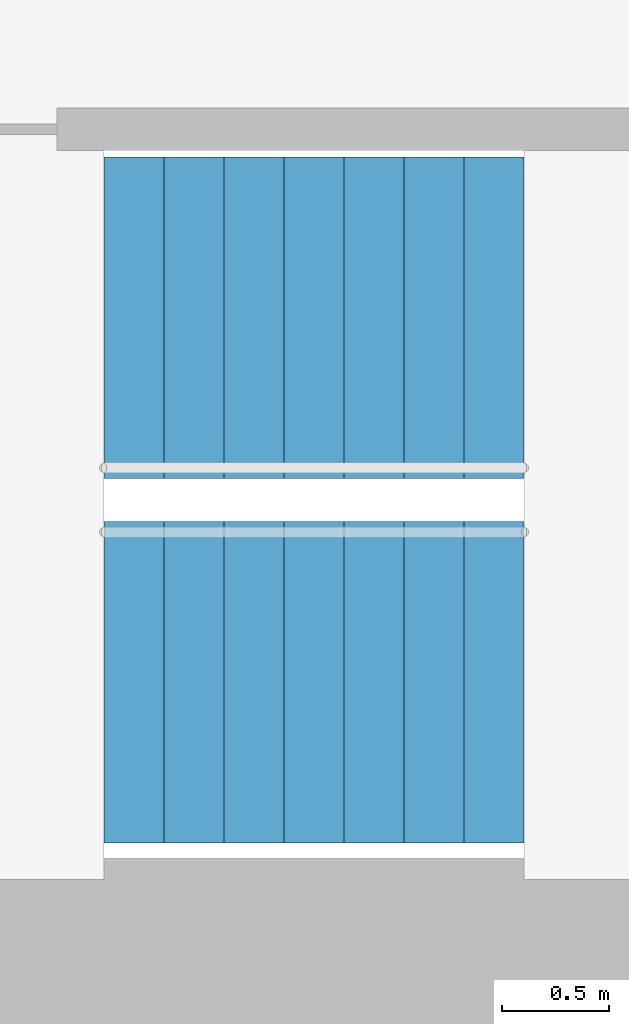
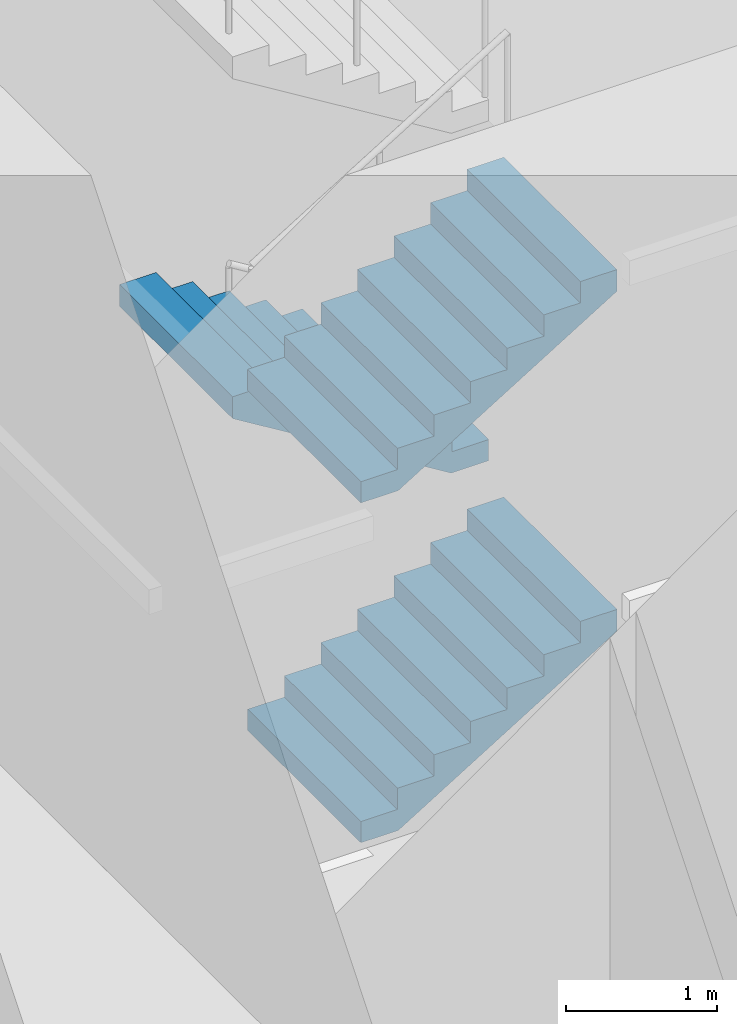
# One storey, part 15 of 19: 3 stair flights, 1 element without a shape of its own.
"""IFC4 building model written with IfcOpenShell, lengths in metres."""

import ifcopenshell
import ifcopenshell.guid

model = None  # the IFC model being written
_history = None  # IfcOwnerHistory: only IFC2X3 demands one
_inside = {}  # id of a spatial element -> (the spatial element, [elements in it])
_under = {}  # id of a project, library or spatial element -> (it, [spatial elements below it])
_declared = {}  # id of a project -> (the project, [libraries it declares])
_typed = {}  # id of a type object -> (the type object, [elements of that type])
_made_of = {}  # id of a material, layer set ... -> (it, [elements and type objects made of it])


def new_model(schema):
    """Start an empty IFC model of exactly this schema.

    Asked for "IFC4X3", IfcOpenShell would pick the latest addendum, in which some entities
    have other attributes; the version numbers below select the first issue.
    IFC2X3 requires an IfcOwnerHistory on every rooted entity: one is made here for all.
    """
    global model, _history
    if schema == "IFC4X3":
        model = ifcopenshell.file(schema_version=(4, 3, 0, 0))
    else:
        model = ifcopenshell.file(schema=schema)
    _inside.clear()
    _under.clear()
    _declared.clear()
    _typed.clear()
    _made_of.clear()
    _history = None
    if model.schema == "IFC2X3":
        org = make("IfcOrganization", Name="unknown")
        user = make(
            "IfcPersonAndOrganization",
            ThePerson=make("IfcPerson", FamilyName="unknown"),
            TheOrganization=org,
        )
        app = make(
            "IfcApplication",
            ApplicationDeveloper=org,
            Version="unknown",
            ApplicationFullName="unknown",
            ApplicationIdentifier="unknown",
        )
        _history = make(
            "IfcOwnerHistory",
            OwningUser=user,
            OwningApplication=app,
            ChangeAction="ADDED",
            CreationDate=0,
        )
    return model


def make(cls, **values):
    """One entity of the class cls with the attributes given. An attribute that is None is left unset."""
    return model.create_entity(
        cls, **{name: value for name, value in values.items() if value is not None}
    )


def rooted(cls, **values):
    """An entity with a GlobalId (a new one), such as an element, a storey or a relation."""
    return make(cls, GlobalId=ifcopenshell.guid.new(), OwnerHistory=_history, **values)


def si_unit(unit_type, name, prefix=None):
    """IfcSIUnit, for example si_unit("LENGTHUNIT", "METRE", prefix="MILLI")."""
    return make("IfcSIUnit", UnitType=unit_type, Prefix=prefix, Name=name)


def assignment(units):
    """IfcUnitAssignment: the units of a project."""
    return None if units is None else make("IfcUnitAssignment", Units=units)


def point(xyz):
    """IfcCartesianPoint."""
    return None if xyz is None else make("IfcCartesianPoint", Coordinates=xyz)


def direction(xyz):
    """IfcDirection."""
    return None if xyz is None else make("IfcDirection", DirectionRatios=xyz)


def frame(location, z_axis=None, x_axis=None):
    """IfcAxis2Placement3D, a coordinate frame: its origin and axes. An axis left out is left unset."""
    return make(
        "IfcAxis2Placement3D",
        Location=point(location),
        Axis=direction(z_axis),
        RefDirection=direction(x_axis),
    )


def origin():
    """The frame at (0, 0, 0) with its axes left unset."""
    return frame((0.0, 0.0, 0.0))


def place(relative_to, where):
    """IfcLocalPlacement: puts the frame where relative to a parent placement (None: the world)."""
    return make(
        "IfcLocalPlacement", PlacementRelTo=relative_to, RelativePlacement=where
    )


def context(
    kind, dimensions, precision=None, world=None, true_north=None, identifier=None
):
    """IfcGeometricRepresentationContext, for example the 3D "Model" context."""
    return make(
        "IfcGeometricRepresentationContext",
        ContextIdentifier=identifier,
        ContextType=kind,
        CoordinateSpaceDimension=dimensions,
        Precision=precision,
        WorldCoordinateSystem=world,
        TrueNorth=true_north,
    )


def subcontext(parent, identifier, kind, view, scale=None):
    """IfcGeometricRepresentationSubContext, for example "Body" below "Model"."""
    return make(
        "IfcGeometricRepresentationSubContext",
        ContextIdentifier=identifier,
        ContextType=kind,
        ParentContext=parent,
        TargetScale=scale,
        TargetView=view,
    )


def project(units=None, contexts=None):
    """IfcProject with its units and contexts."""
    return rooted(
        "IfcProject",
        Name="project",
        RepresentationContexts=contexts,
        UnitsInContext=assignment(units),
    )


def spatial(cls, under=None, at=None, **own):
    """A site, building, storey or space (cls), placed at a placement, below another one or the project."""
    s = rooted(cls, ObjectPlacement=at, **own)
    if under is not None:
        _under.setdefault(under.id(), (under, []))[1].append(s)
    return s


def point_list(points):
    """IfcCartesianPointList2D or 3D."""
    cls = (
        "IfcCartesianPointList2D" if len(points[0]) == 2 else "IfcCartesianPointList3D"
    )
    return make(cls, CoordList=points)


def triangles(points, corners, closed=None, point_numbers=None):
    """IfcTriangulatedFaceSet: each triangle names its three corners, points numbered from 1."""
    return make(
        "IfcTriangulatedFaceSet",
        Coordinates=point_list(points),
        Closed=closed,
        CoordIndex=corners,
        PnIndex=point_numbers,
    )


def shape(context_of_items, identifier, shape_type, items):
    """IfcShapeRepresentation: the items that make up one representation, for example the "Body"."""
    return make(
        "IfcShapeRepresentation",
        ContextOfItems=context_of_items,
        RepresentationIdentifier=identifier,
        RepresentationType=shape_type,
        Items=items,
    )


def material(Name=None, Category=None):
    """IfcMaterial."""
    return make("IfcMaterial", Name=Name, Category=Category)


def made_of(thing, what):
    """Note that an element or type object is made of a material, layer set ...; save() writes the relation."""
    if what is not None:
        _made_of.setdefault(what.id(), (what, []))[1].append(thing)
    return thing


def type_object(cls, material=None, **own):
    """A type object (cls), such as IfcWallType, which elements share."""
    return made_of(rooted(cls, **own), material)


def element(
    cls,
    number,
    at=None,
    inside=None,
    cuts=None,
    type_object=None,
    material=None,
    context=None,
    identifier="Body",
    shape_type=None,
    held_by="IfcProductDefinitionShape",
    body=None,
    shapes=None,
    **own,
):
    """One element of the class cls, such as IfcWall. Its Tag is "e" and its number.

    at: its placement. inside: the storey or other place that contains it. cuts: it is an
    opening in that element (IfcRelVoidsElement). A single representation is given by context,
    identifier, shape_type and body (its items); several are given by shapes. held_by: the class
    of the entity that holds the representations. save() writes the other relations.
    """
    e = rooted(cls, Tag="e%d" % number, ObjectPlacement=at, **own)
    if body is not None:
        shapes = [shape(context, identifier, shape_type, body)]
    if shapes is not None:
        e.Representation = make(held_by, Representations=shapes)
    if inside is not None:
        _inside.setdefault(inside.id(), (inside, []))[1].append(e)
    if cuts is not None:
        rooted(
            "IfcRelVoidsElement", RelatingBuildingElement=cuts, RelatedOpeningElement=e
        )
    if type_object is not None:
        _typed.setdefault(type_object.id(), (type_object, []))[1].append(e)
    return made_of(e, material)


def aggregate(whole, parts):
    """IfcRelAggregates: a whole, such as a stair, and the parts it consists of."""
    return rooted("IfcRelAggregates", RelatingObject=whole, RelatedObjects=parts)


def save(model, path):
    """Write the relations noted so far, then the file.

    IfcRelAggregates (storeys below a building ...), IfcRelContainedInSpatialStructure (elements
    in a storey), IfcRelDefinesByType, IfcRelAssociatesMaterial and IfcRelDeclares: one each for
    every whole, place, type object, material and project.
    """
    for whole, parts in _under.values():
        aggregate(whole, parts)
    for where, things in _inside.values():
        rooted(
            "IfcRelContainedInSpatialStructure",
            RelatedElements=things,
            RelatingStructure=where,
        )
    for kind, things in _typed.values():
        rooted("IfcRelDefinesByType", RelatedObjects=things, RelatingType=kind)
    for what, things in _made_of.values():
        rooted("IfcRelAssociatesMaterial", RelatedObjects=things, RelatingMaterial=what)
    for by, libraries in _declared.values():
        rooted("IfcRelDeclares", RelatingContext=by, RelatedDefinitions=libraries)
    model.write(path)


model = new_model("IFC4")

# Units and contexts
model_context = context("Model", 3, precision=1e-05, world=origin(), true_north=direction((0.0, 1.0)))
body_context = subcontext(model_context, "Body", "Model", "MODEL_VIEW")
ifc_project = project(units=[si_unit("LENGTHUNIT", "METRE"), si_unit("AREAUNIT", "SQUARE_METRE"), si_unit("VOLUMEUNIT", "CUBIC_METRE"), si_unit("PLANEANGLEUNIT", "RADIAN"), si_unit("MASSUNIT", "GRAM", prefix="KILO")], contexts=[model_context])

# Site, building, storey
site_placement = place(None, origin())
site = spatial("IfcSite", under=ifc_project, at=site_placement, CompositionType="ELEMENT")
building_placement = place(site_placement, origin())
building = spatial("IfcBuilding", under=site, at=building_placement, Name="Lantaw Convention Tower", CompositionType="ELEMENT")
storey_placement = place(building_placement, frame((0.0, 0.0, -5.5)))
storey = spatial("IfcBuildingStorey", under=building, at=storey_placement, Name="B1", CompositionType="ELEMENT", Elevation=-5.5)

# Stair, stair flights
ifc_material = material(Name="Concrete C35/45", Category="concrete")
stair_type = type_object("IfcStairType", Name="Exit stair 1500 riser 171.88 in 4 flights", PredefinedType="HALF_TURN_STAIR", material=ifc_material)
stair_placement = place(storey_placement, origin())
stair = element("IfcStair", 1, at=stair_placement, inside=storey, type_object=stair_type, Name="Exit stair S1 B1", PredefinedType="HALF_TURN_STAIR")
stair_flight_type = type_object("IfcStairFlightType", Name="Stair flight 1500 riser 171.88", PredefinedType="STRAIGHT", material=ifc_material)
stair_flight_1_placement = place(storey_placement, frame((-10.580078125, -5.97998046875, 0.0), z_axis=(0.0, 0.0, 1.0), x_axis=(1.0, 0.0, 0.0)))
stair_flight_1 = element("IfcStairFlight", 2, at=stair_flight_1_placement, type_object=stair_flight_type, Name="S1 flight 1", NumberOfRisers=8, NumberOfTreads=7, PredefinedType="STRAIGHT", RiserHeight=0.171875, TreadLength=0.28, context=body_context, shape_type="Tessellation", body=[
    triangles([(0.0, 0.75, 0.0), (0.0, 0.75, 0.171875), (0.28, 0.75, 0.0), (0.28, 0.75, 0.171875), (0.28, 0.75, 0.34375), (0.286542444818223, 0.75, 0.0), (0.286542444818223, 0.75, 0.34375), (0.56, 0.75, 0.1678589903459569), (0.56, 0.75, 0.34375), (0.56, 0.75, 0.515625), (0.8400000000000001, 0.75, 0.3397339903459569), (0.8400000000000001, 0.75, 0.515625), (0.8400000000000001, 0.75, 0.6875), (1.12, 0.75, 0.511608990345957), (1.12, 0.75, 0.6875), (1.12, 0.75, 0.859375), (1.4000000000000001, 0.75, 0.683483990345957), (1.4000000000000001, 0.75, 0.859375), (1.4000000000000001, 0.75, 1.03125), (1.6800000000000002, 0.75, 0.855358990345957), (1.6800000000000002, 0.75, 1.03125), (1.6800000000000002, 0.75, 1.203125), (1.9600000000000002, 0.75, 1.0272339903459569), (1.9600000000000002, 0.75, 1.203125), (0.0, -0.75, 0.0), (0.0, -0.75, 0.171875), (0.28, -0.75, 0.0), (0.28, -0.75, 0.171875), (0.28, -0.75, 0.34375), (0.286542444818223, -0.75, 0.0), (0.286542444818223, -0.75, 0.34375), (0.56, -0.75, 0.1678589903459569), (0.56, -0.75, 0.34375), (0.56, -0.75, 0.515625), (0.8400000000000001, -0.75, 0.3397339903459569), (0.8400000000000001, -0.75, 0.515625), (0.8400000000000001, -0.75, 0.6875), (1.12, -0.75, 0.511608990345957), (1.12, -0.75, 0.6875), (1.12, -0.75, 0.859375), (1.4000000000000001, -0.75, 0.683483990345957), (1.4000000000000001, -0.75, 0.859375), (1.4000000000000001, -0.75, 1.03125), (1.6800000000000002, -0.75, 0.855358990345957), (1.6800000000000002, -0.75, 1.03125), (1.6800000000000002, -0.75, 1.203125), (1.9600000000000002, -0.75, 1.0272339903459569), (1.9600000000000002, -0.75, 1.203125), (0.0, 0.15000000000000002, 0.171875), (0.0, 0.15000000000000002, 0.0), (0.0, 0.0, 0.171875), (0.0, 0.0, 0.0), (0.0, -0.15000000000000002, 0.171875), (0.0, -0.15000000000000002, 0.0), (0.28, 0.15000000000000002, 0.34375), (0.28, 0.15000000000000002, 0.171875), (0.28, 0.0, 0.34375), (0.28, 0.0, 0.171875), (0.28, -0.15000000000000002, 0.34375), (0.28, -0.15000000000000002, 0.171875), (0.56, 0.15000000000000002, 0.515625), (0.56, 0.15000000000000002, 0.34375), (0.56, 0.0, 0.515625), (0.56, 0.0, 0.34375), (0.56, -0.15000000000000002, 0.515625), (0.56, -0.15000000000000002, 0.34375), (0.8400000000000001, 0.15000000000000002, 0.6875), (0.8400000000000001, 0.15000000000000002, 0.515625), (0.8400000000000001, 0.0, 0.6875), (0.8400000000000001, 0.0, 0.515625), (0.8400000000000001, -0.15000000000000002, 0.6875), (0.8400000000000001, -0.15000000000000002, 0.515625), (1.12, 0.15000000000000002, 0.859375), (1.12, 0.15000000000000002, 0.6875), (1.12, 0.0, 0.859375), (1.12, 0.0, 0.6875), (1.12, -0.15000000000000002, 0.859375), (1.12, -0.15000000000000002, 0.6875), (1.4000000000000001, 0.15000000000000002, 1.03125), (1.4000000000000001, 0.15000000000000002, 0.859375), (1.4000000000000001, 0.0, 1.03125), (1.4000000000000001, 0.0, 0.859375), (1.4000000000000001, -0.15000000000000002, 1.03125), (1.4000000000000001, -0.15000000000000002, 0.859375), (1.6800000000000002, 0.15000000000000002, 1.203125), (1.6800000000000002, 0.15000000000000002, 1.03125), (1.6800000000000002, 0.0, 1.203125), (1.6800000000000002, 0.0, 1.03125), (1.6800000000000002, -0.15000000000000002, 1.203125), (1.6800000000000002, -0.15000000000000002, 1.03125), (0.286542444818223, 0.15000000000000002, 0.34375), (0.286542444818223, 0.0, 0.34375), (0.286542444818223, -0.15000000000000002, 0.34375), (1.9600000000000002, 0.15000000000000002, 1.203125), (1.9600000000000002, 0.0, 1.203125), (1.9600000000000002, -0.15000000000000002, 1.203125), (1.9600000000000002, 0.15000000000000002, 1.0272339903459569), (1.9600000000000002, 0.0, 1.0272339903459569), (1.9600000000000002, -0.15000000000000002, 1.0272339903459569), (1.6800000000000002, 0.15000000000000002, 0.855358990345957), (1.6800000000000002, 0.0, 0.855358990345957), (1.6800000000000002, -0.15000000000000002, 0.855358990345957), (1.4000000000000001, 0.15000000000000002, 0.683483990345957), (1.4000000000000001, 0.0, 0.683483990345957), (1.4000000000000001, -0.15000000000000002, 0.683483990345957), (1.12, 0.15000000000000002, 0.511608990345957), (1.12, 0.0, 0.511608990345957), (1.12, -0.15000000000000002, 0.511608990345957), (0.8400000000000001, 0.15000000000000002, 0.3397339903459569), (0.8400000000000001, 0.0, 0.3397339903459569), (0.8400000000000001, -0.15000000000000002, 0.3397339903459569), (0.56, 0.15000000000000002, 0.1678589903459569), (0.56, 0.0, 0.1678589903459569), (0.56, -0.15000000000000002, 0.1678589903459569), (0.286542444818223, 0.15000000000000002, 0.0), (0.286542444818223, 0.0, 0.0), (0.286542444818223, -0.15000000000000002, 0.0), (0.28, 0.15000000000000002, 0.0), (0.28, 0.0, 0.0), (0.28, -0.15000000000000002, 0.0)], [[1, 4, 3], [1, 2, 4], [3, 4, 6], [4, 7, 6], [4, 5, 7], [6, 9, 8], [6, 7, 9], [8, 9, 11], [9, 12, 11], [9, 10, 12], [11, 12, 14], [12, 15, 14], [12, 13, 15], [14, 15, 17], [15, 18, 17], [15, 16, 18], [17, 18, 20], [18, 21, 20], [18, 19, 21], [20, 21, 23], [21, 24, 23], [21, 22, 24], [25, 27, 28], [25, 28, 26], [27, 30, 28], [28, 30, 31], [28, 31, 29], [30, 32, 33], [30, 33, 31], [32, 35, 33], [33, 35, 36], [33, 36, 34], [35, 38, 36], [36, 38, 39], [36, 39, 37], [38, 41, 39], [39, 41, 42], [39, 42, 40], [41, 44, 42], [42, 44, 45], [42, 45, 43], [44, 47, 45], [45, 47, 48], [45, 48, 46], [1, 49, 2], [1, 50, 49], [50, 51, 49], [50, 52, 51], [52, 53, 51], [52, 54, 53], [54, 26, 53], [54, 25, 26], [4, 55, 5], [4, 56, 55], [56, 57, 55], [56, 58, 57], [58, 59, 57], [58, 60, 59], [60, 29, 59], [60, 28, 29], [9, 61, 10], [9, 62, 61], [62, 63, 61], [62, 64, 63], [64, 65, 63], [64, 66, 65], [66, 34, 65], [66, 33, 34], [12, 67, 13], [12, 68, 67], [68, 69, 67], [68, 70, 69], [70, 71, 69], [70, 72, 71], [72, 37, 71], [72, 36, 37], [15, 73, 16], [15, 74, 73], [74, 75, 73], [74, 76, 75], [76, 77, 75], [76, 78, 77], [78, 40, 77], [78, 39, 40], [18, 79, 19], [18, 80, 79], [80, 81, 79], [80, 82, 81], [82, 83, 81], [82, 84, 83], [84, 43, 83], [84, 42, 43], [21, 85, 22], [21, 86, 85], [86, 87, 85], [86, 88, 87], [88, 89, 87], [88, 90, 89], [90, 46, 89], [90, 45, 46], [2, 56, 4], [2, 49, 56], [49, 58, 56], [49, 51, 58], [51, 60, 58], [51, 53, 60], [53, 28, 60], [53, 26, 28], [5, 91, 7], [5, 55, 91], [55, 92, 91], [55, 57, 92], [57, 93, 92], [57, 59, 93], [59, 31, 93], [59, 29, 31], [7, 62, 9], [7, 91, 62], [91, 64, 62], [91, 92, 64], [92, 66, 64], [92, 93, 66], [93, 33, 66], [93, 31, 33], [10, 68, 12], [10, 61, 68], [61, 70, 68], [61, 63, 70], [63, 72, 70], [63, 65, 72], [65, 36, 72], [65, 34, 36], [13, 74, 15], [13, 67, 74], [67, 76, 74], [67, 69, 76], [69, 78, 76], [69, 71, 78], [71, 39, 78], [71, 37, 39], [16, 80, 18], [16, 73, 80], [73, 82, 80], [73, 75, 82], [75, 84, 82], [75, 77, 84], [77, 42, 84], [77, 40, 42], [19, 86, 21], [19, 79, 86], [79, 88, 86], [79, 81, 88], [81, 90, 88], [81, 83, 90], [83, 45, 90], [83, 43, 45], [22, 94, 24], [22, 85, 94], [85, 95, 94], [85, 87, 95], [87, 96, 95], [87, 89, 96], [89, 48, 96], [89, 46, 48], [24, 97, 23], [24, 94, 97], [94, 98, 97], [94, 95, 98], [95, 99, 98], [95, 96, 99], [96, 47, 99], [96, 48, 47], [23, 100, 20], [23, 97, 100], [97, 101, 100], [97, 98, 101], [98, 102, 101], [98, 99, 102], [99, 44, 102], [99, 47, 44], [20, 103, 17], [20, 100, 103], [100, 104, 103], [100, 101, 104], [101, 105, 104], [101, 102, 105], [102, 41, 105], [102, 44, 41], [17, 106, 14], [17, 103, 106], [103, 107, 106], [103, 104, 107], [104, 108, 107], [104, 105, 108], [105, 38, 108], [105, 41, 38], [14, 109, 11], [14, 106, 109], [106, 110, 109], [106, 107, 110], [107, 111, 110], [107, 108, 111], [108, 35, 111], [108, 38, 35], [11, 112, 8], [11, 109, 112], [109, 113, 112], [109, 110, 113], [110, 114, 113], [110, 111, 114], [111, 32, 114], [111, 35, 32], [8, 115, 6], [8, 112, 115], [112, 116, 115], [112, 113, 116], [113, 117, 116], [113, 114, 117], [114, 30, 117], [114, 32, 30], [6, 118, 3], [6, 115, 118], [115, 119, 118], [115, 116, 119], [116, 120, 119], [116, 117, 120], [117, 27, 120], [117, 30, 27], [3, 50, 1], [3, 118, 50], [118, 52, 50], [118, 119, 52], [119, 54, 52], [119, 120, 54], [120, 25, 54], [120, 27, 25]], closed=True),
])
stair_flight_2_placement = place(storey_placement, frame((-8.6201171875, -4.280029296875, 1.375), z_axis=(0.0, 0.0, 1.0), x_axis=(-1.0, 0.0, 0.0)))
stair_flight_2 = element("IfcStairFlight", 3, at=stair_flight_2_placement, type_object=stair_flight_type, Name="S1 flight 2", NumberOfRisers=8, NumberOfTreads=7, PredefinedType="STRAIGHT", RiserHeight=0.171875, TreadLength=0.28, context=body_context, shape_type="Tessellation", body=[
    triangles([(0.0, 0.75, 0.0), (0.0, 0.75, 0.171875), (0.28, 0.75, 0.0), (0.28, 0.75, 0.171875), (0.28, 0.75, 0.34375), (0.286542444818223, 0.75, 0.0), (0.286542444818223, 0.75, 0.34375), (0.56, 0.75, 0.1678589903459569), (0.56, 0.75, 0.34375), (0.56, 0.75, 0.515625), (0.8400000000000001, 0.75, 0.3397339903459569), (0.8400000000000001, 0.75, 0.515625), (0.8400000000000001, 0.75, 0.6875), (1.12, 0.75, 0.511608990345957), (1.12, 0.75, 0.6875), (1.12, 0.75, 0.859375), (1.4000000000000001, 0.75, 0.683483990345957), (1.4000000000000001, 0.75, 0.859375), (1.4000000000000001, 0.75, 1.03125), (1.6800000000000002, 0.75, 0.855358990345957), (1.6800000000000002, 0.75, 1.03125), (1.6800000000000002, 0.75, 1.203125), (1.9600000000000002, 0.75, 1.0272339903459569), (1.9600000000000002, 0.75, 1.203125), (0.0, -0.75, 0.0), (0.0, -0.75, 0.171875), (0.28, -0.75, 0.0), (0.28, -0.75, 0.171875), (0.28, -0.75, 0.34375), (0.286542444818223, -0.75, 0.0), (0.286542444818223, -0.75, 0.34375), (0.56, -0.75, 0.1678589903459569), (0.56, -0.75, 0.34375), (0.56, -0.75, 0.515625), (0.8400000000000001, -0.75, 0.3397339903459569), (0.8400000000000001, -0.75, 0.515625), (0.8400000000000001, -0.75, 0.6875), (1.12, -0.75, 0.511608990345957), (1.12, -0.75, 0.6875), (1.12, -0.75, 0.859375), (1.4000000000000001, -0.75, 0.683483990345957), (1.4000000000000001, -0.75, 0.859375), (1.4000000000000001, -0.75, 1.03125), (1.6800000000000002, -0.75, 0.855358990345957), (1.6800000000000002, -0.75, 1.03125), (1.6800000000000002, -0.75, 1.203125), (1.9600000000000002, -0.75, 1.0272339903459569), (1.9600000000000002, -0.75, 1.203125), (0.0, 0.15000000000000002, 0.171875), (0.0, 0.15000000000000002, 0.0), (0.0, 0.0, 0.171875), (0.0, 0.0, 0.0), (0.0, -0.15000000000000002, 0.171875), (0.0, -0.15000000000000002, 0.0), (0.28, 0.15000000000000002, 0.34375), (0.28, 0.15000000000000002, 0.171875), (0.28, 0.0, 0.34375), (0.28, 0.0, 0.171875), (0.28, -0.15000000000000002, 0.34375), (0.28, -0.15000000000000002, 0.171875), (0.56, 0.15000000000000002, 0.515625), (0.56, 0.15000000000000002, 0.34375), (0.56, 0.0, 0.515625), (0.56, 0.0, 0.34375), (0.56, -0.15000000000000002, 0.515625), (0.56, -0.15000000000000002, 0.34375), (0.8400000000000001, 0.15000000000000002, 0.6875), (0.8400000000000001, 0.15000000000000002, 0.515625), (0.8400000000000001, 0.0, 0.6875), (0.8400000000000001, 0.0, 0.515625), (0.8400000000000001, -0.15000000000000002, 0.6875), (0.8400000000000001, -0.15000000000000002, 0.515625), (1.12, 0.15000000000000002, 0.859375), (1.12, 0.15000000000000002, 0.6875), (1.12, 0.0, 0.859375), (1.12, 0.0, 0.6875), (1.12, -0.15000000000000002, 0.859375), (1.12, -0.15000000000000002, 0.6875), (1.4000000000000001, 0.15000000000000002, 1.03125), (1.4000000000000001, 0.15000000000000002, 0.859375), (1.4000000000000001, 0.0, 1.03125), (1.4000000000000001, 0.0, 0.859375), (1.4000000000000001, -0.15000000000000002, 1.03125), (1.4000000000000001, -0.15000000000000002, 0.859375), (1.6800000000000002, 0.15000000000000002, 1.203125), (1.6800000000000002, 0.15000000000000002, 1.03125), (1.6800000000000002, 0.0, 1.203125), (1.6800000000000002, 0.0, 1.03125), (1.6800000000000002, -0.15000000000000002, 1.203125), (1.6800000000000002, -0.15000000000000002, 1.03125), (0.286542444818223, 0.15000000000000002, 0.34375), (0.286542444818223, 0.0, 0.34375), (0.286542444818223, -0.15000000000000002, 0.34375), (1.9600000000000002, 0.15000000000000002, 1.203125), (1.9600000000000002, 0.0, 1.203125), (1.9600000000000002, -0.15000000000000002, 1.203125), (1.9600000000000002, 0.15000000000000002, 1.0272339903459569), (1.9600000000000002, 0.0, 1.0272339903459569), (1.9600000000000002, -0.15000000000000002, 1.0272339903459569), (1.6800000000000002, 0.15000000000000002, 0.855358990345957), (1.6800000000000002, 0.0, 0.855358990345957), (1.6800000000000002, -0.15000000000000002, 0.855358990345957), (1.4000000000000001, 0.15000000000000002, 0.683483990345957), (1.4000000000000001, 0.0, 0.683483990345957), (1.4000000000000001, -0.15000000000000002, 0.683483990345957), (1.12, 0.15000000000000002, 0.511608990345957), (1.12, 0.0, 0.511608990345957), (1.12, -0.15000000000000002, 0.511608990345957), (0.8400000000000001, 0.15000000000000002, 0.3397339903459569), (0.8400000000000001, 0.0, 0.3397339903459569), (0.8400000000000001, -0.15000000000000002, 0.3397339903459569), (0.56, 0.15000000000000002, 0.1678589903459569), (0.56, 0.0, 0.1678589903459569), (0.56, -0.15000000000000002, 0.1678589903459569), (0.286542444818223, 0.15000000000000002, 0.0), (0.286542444818223, 0.0, 0.0), (0.286542444818223, -0.15000000000000002, 0.0), (0.28, 0.15000000000000002, 0.0), (0.28, 0.0, 0.0), (0.28, -0.15000000000000002, 0.0)], [[1, 4, 3], [1, 2, 4], [3, 4, 6], [4, 7, 6], [4, 5, 7], [6, 9, 8], [6, 7, 9], [8, 9, 11], [9, 12, 11], [9, 10, 12], [11, 12, 14], [12, 15, 14], [12, 13, 15], [14, 15, 17], [15, 18, 17], [15, 16, 18], [17, 18, 20], [18, 21, 20], [18, 19, 21], [20, 21, 23], [21, 24, 23], [21, 22, 24], [25, 27, 28], [25, 28, 26], [27, 30, 28], [28, 30, 31], [28, 31, 29], [30, 32, 33], [30, 33, 31], [32, 35, 33], [33, 35, 36], [33, 36, 34], [35, 38, 36], [36, 38, 39], [36, 39, 37], [38, 41, 39], [39, 41, 42], [39, 42, 40], [41, 44, 42], [42, 44, 45], [42, 45, 43], [44, 47, 45], [45, 47, 48], [45, 48, 46], [1, 49, 2], [1, 50, 49], [50, 51, 49], [50, 52, 51], [52, 53, 51], [52, 54, 53], [54, 26, 53], [54, 25, 26], [4, 55, 5], [4, 56, 55], [56, 57, 55], [56, 58, 57], [58, 59, 57], [58, 60, 59], [60, 29, 59], [60, 28, 29], [9, 61, 10], [9, 62, 61], [62, 63, 61], [62, 64, 63], [64, 65, 63], [64, 66, 65], [66, 34, 65], [66, 33, 34], [12, 67, 13], [12, 68, 67], [68, 69, 67], [68, 70, 69], [70, 71, 69], [70, 72, 71], [72, 37, 71], [72, 36, 37], [15, 73, 16], [15, 74, 73], [74, 75, 73], [74, 76, 75], [76, 77, 75], [76, 78, 77], [78, 40, 77], [78, 39, 40], [18, 79, 19], [18, 80, 79], [80, 81, 79], [80, 82, 81], [82, 83, 81], [82, 84, 83], [84, 43, 83], [84, 42, 43], [21, 85, 22], [21, 86, 85], [86, 87, 85], [86, 88, 87], [88, 89, 87], [88, 90, 89], [90, 46, 89], [90, 45, 46], [2, 56, 4], [2, 49, 56], [49, 58, 56], [49, 51, 58], [51, 60, 58], [51, 53, 60], [53, 28, 60], [53, 26, 28], [5, 91, 7], [5, 55, 91], [55, 92, 91], [55, 57, 92], [57, 93, 92], [57, 59, 93], [59, 31, 93], [59, 29, 31], [7, 62, 9], [7, 91, 62], [91, 64, 62], [91, 92, 64], [92, 66, 64], [92, 93, 66], [93, 33, 66], [93, 31, 33], [10, 68, 12], [10, 61, 68], [61, 70, 68], [61, 63, 70], [63, 72, 70], [63, 65, 72], [65, 36, 72], [65, 34, 36], [13, 74, 15], [13, 67, 74], [67, 76, 74], [67, 69, 76], [69, 78, 76], [69, 71, 78], [71, 39, 78], [71, 37, 39], [16, 80, 18], [16, 73, 80], [73, 82, 80], [73, 75, 82], [75, 84, 82], [75, 77, 84], [77, 42, 84], [77, 40, 42], [19, 86, 21], [19, 79, 86], [79, 88, 86], [79, 81, 88], [81, 90, 88], [81, 83, 90], [83, 45, 90], [83, 43, 45], [22, 94, 24], [22, 85, 94], [85, 95, 94], [85, 87, 95], [87, 96, 95], [87, 89, 96], [89, 48, 96], [89, 46, 48], [24, 97, 23], [24, 94, 97], [94, 98, 97], [94, 95, 98], [95, 99, 98], [95, 96, 99], [96, 47, 99], [96, 48, 47], [23, 100, 20], [23, 97, 100], [97, 101, 100], [97, 98, 101], [98, 102, 101], [98, 99, 102], [99, 44, 102], [99, 47, 44], [20, 103, 17], [20, 100, 103], [100, 104, 103], [100, 101, 104], [101, 105, 104], [101, 102, 105], [102, 41, 105], [102, 44, 41], [17, 106, 14], [17, 103, 106], [103, 107, 106], [103, 104, 107], [104, 108, 107], [104, 105, 108], [105, 38, 108], [105, 41, 38], [14, 109, 11], [14, 106, 109], [106, 110, 109], [106, 107, 110], [107, 111, 110], [107, 108, 111], [108, 35, 111], [108, 38, 35], [11, 112, 8], [11, 109, 112], [109, 113, 112], [109, 110, 113], [110, 114, 113], [110, 111, 114], [111, 32, 114], [111, 35, 32], [8, 115, 6], [8, 112, 115], [112, 116, 115], [112, 113, 116], [113, 117, 116], [113, 114, 117], [114, 30, 117], [114, 32, 30], [6, 118, 3], [6, 115, 118], [115, 119, 118], [115, 116, 119], [116, 120, 119], [116, 117, 120], [117, 27, 120], [117, 30, 27], [3, 50, 1], [3, 118, 50], [118, 52, 50], [118, 119, 52], [119, 54, 52], [119, 120, 54], [120, 25, 54], [120, 27, 25]], closed=True),
])
stair_flight_3_placement = place(storey_placement, frame((-10.580078125, -5.97998046875, 2.75), z_axis=(0.0, 0.0, 1.0), x_axis=(1.0, 0.0, 0.0)))
stair_flight_3 = element("IfcStairFlight", 4, at=stair_flight_3_placement, type_object=stair_flight_type, Name="S1 flight 3", NumberOfRisers=8, NumberOfTreads=7, PredefinedType="STRAIGHT", RiserHeight=0.171875, TreadLength=0.28, context=body_context, shape_type="Tessellation", body=[
    triangles([(0.0, 0.75, 0.0), (0.0, 0.75, 0.171875), (0.28, 0.75, 0.0), (0.28, 0.75, 0.171875), (0.28, 0.75, 0.34375), (0.286542444818223, 0.75, 0.0), (0.286542444818223, 0.75, 0.34375), (0.56, 0.75, 0.1678589903459569), (0.56, 0.75, 0.34375), (0.56, 0.75, 0.515625), (0.8400000000000001, 0.75, 0.3397339903459569), (0.8400000000000001, 0.75, 0.515625), (0.8400000000000001, 0.75, 0.6875), (1.12, 0.75, 0.511608990345957), (1.12, 0.75, 0.6875), (1.12, 0.75, 0.859375), (1.4000000000000001, 0.75, 0.683483990345957), (1.4000000000000001, 0.75, 0.859375), (1.4000000000000001, 0.75, 1.03125), (1.6800000000000002, 0.75, 0.855358990345957), (1.6800000000000002, 0.75, 1.03125), (1.6800000000000002, 0.75, 1.203125), (1.9600000000000002, 0.75, 1.0272339903459569), (1.9600000000000002, 0.75, 1.203125), (0.0, -0.75, 0.0), (0.0, -0.75, 0.171875), (0.28, -0.75, 0.0), (0.28, -0.75, 0.171875), (0.28, -0.75, 0.34375), (0.286542444818223, -0.75, 0.0), (0.286542444818223, -0.75, 0.34375), (0.56, -0.75, 0.1678589903459569), (0.56, -0.75, 0.34375), (0.56, -0.75, 0.515625), (0.8400000000000001, -0.75, 0.3397339903459569), (0.8400000000000001, -0.75, 0.515625), (0.8400000000000001, -0.75, 0.6875), (1.12, -0.75, 0.511608990345957), (1.12, -0.75, 0.6875), (1.12, -0.75, 0.859375), (1.4000000000000001, -0.75, 0.683483990345957), (1.4000000000000001, -0.75, 0.859375), (1.4000000000000001, -0.75, 1.03125), (1.6800000000000002, -0.75, 0.855358990345957), (1.6800000000000002, -0.75, 1.03125), (1.6800000000000002, -0.75, 1.203125), (1.9600000000000002, -0.75, 1.0272339903459569), (1.9600000000000002, -0.75, 1.203125), (0.0, 0.15000000000000002, 0.171875), (0.0, 0.15000000000000002, 0.0), (0.0, 0.0, 0.171875), (0.0, 0.0, 0.0), (0.0, -0.15000000000000002, 0.171875), (0.0, -0.15000000000000002, 0.0), (0.28, 0.15000000000000002, 0.34375), (0.28, 0.15000000000000002, 0.171875), (0.28, 0.0, 0.34375), (0.28, 0.0, 0.171875), (0.28, -0.15000000000000002, 0.34375), (0.28, -0.15000000000000002, 0.171875), (0.56, 0.15000000000000002, 0.515625), (0.56, 0.15000000000000002, 0.34375), (0.56, 0.0, 0.515625), (0.56, 0.0, 0.34375), (0.56, -0.15000000000000002, 0.515625), (0.56, -0.15000000000000002, 0.34375), (0.8400000000000001, 0.15000000000000002, 0.6875), (0.8400000000000001, 0.15000000000000002, 0.515625), (0.8400000000000001, 0.0, 0.6875), (0.8400000000000001, 0.0, 0.515625), (0.8400000000000001, -0.15000000000000002, 0.6875), (0.8400000000000001, -0.15000000000000002, 0.515625), (1.12, 0.15000000000000002, 0.859375), (1.12, 0.15000000000000002, 0.6875), (1.12, 0.0, 0.859375), (1.12, 0.0, 0.6875), (1.12, -0.15000000000000002, 0.859375), (1.12, -0.15000000000000002, 0.6875), (1.4000000000000001, 0.15000000000000002, 1.03125), (1.4000000000000001, 0.15000000000000002, 0.859375), (1.4000000000000001, 0.0, 1.03125), (1.4000000000000001, 0.0, 0.859375), (1.4000000000000001, -0.15000000000000002, 1.03125), (1.4000000000000001, -0.15000000000000002, 0.859375), (1.6800000000000002, 0.15000000000000002, 1.203125), (1.6800000000000002, 0.15000000000000002, 1.03125), (1.6800000000000002, 0.0, 1.203125), (1.6800000000000002, 0.0, 1.03125), (1.6800000000000002, -0.15000000000000002, 1.203125), (1.6800000000000002, -0.15000000000000002, 1.03125), (0.286542444818223, 0.15000000000000002, 0.34375), (0.286542444818223, 0.0, 0.34375), (0.286542444818223, -0.15000000000000002, 0.34375), (1.9600000000000002, 0.15000000000000002, 1.203125), (1.9600000000000002, 0.0, 1.203125), (1.9600000000000002, -0.15000000000000002, 1.203125), (1.9600000000000002, 0.15000000000000002, 1.0272339903459569), (1.9600000000000002, 0.0, 1.0272339903459569), (1.9600000000000002, -0.15000000000000002, 1.0272339903459569), (1.6800000000000002, 0.15000000000000002, 0.855358990345957), (1.6800000000000002, 0.0, 0.855358990345957), (1.6800000000000002, -0.15000000000000002, 0.855358990345957), (1.4000000000000001, 0.15000000000000002, 0.683483990345957), (1.4000000000000001, 0.0, 0.683483990345957), (1.4000000000000001, -0.15000000000000002, 0.683483990345957), (1.12, 0.15000000000000002, 0.511608990345957), (1.12, 0.0, 0.511608990345957), (1.12, -0.15000000000000002, 0.511608990345957), (0.8400000000000001, 0.15000000000000002, 0.3397339903459569), (0.8400000000000001, 0.0, 0.3397339903459569), (0.8400000000000001, -0.15000000000000002, 0.3397339903459569), (0.56, 0.15000000000000002, 0.1678589903459569), (0.56, 0.0, 0.1678589903459569), (0.56, -0.15000000000000002, 0.1678589903459569), (0.286542444818223, 0.15000000000000002, 0.0), (0.286542444818223, 0.0, 0.0), (0.286542444818223, -0.15000000000000002, 0.0), (0.28, 0.15000000000000002, 0.0), (0.28, 0.0, 0.0), (0.28, -0.15000000000000002, 0.0)], [[1, 4, 3], [1, 2, 4], [3, 4, 6], [4, 7, 6], [4, 5, 7], [6, 9, 8], [6, 7, 9], [8, 9, 11], [9, 12, 11], [9, 10, 12], [11, 12, 14], [12, 15, 14], [12, 13, 15], [14, 15, 17], [15, 18, 17], [15, 16, 18], [17, 18, 20], [18, 21, 20], [18, 19, 21], [20, 21, 23], [21, 24, 23], [21, 22, 24], [25, 27, 28], [25, 28, 26], [27, 30, 28], [28, 30, 31], [28, 31, 29], [30, 32, 33], [30, 33, 31], [32, 35, 33], [33, 35, 36], [33, 36, 34], [35, 38, 36], [36, 38, 39], [36, 39, 37], [38, 41, 39], [39, 41, 42], [39, 42, 40], [41, 44, 42], [42, 44, 45], [42, 45, 43], [44, 47, 45], [45, 47, 48], [45, 48, 46], [1, 49, 2], [1, 50, 49], [50, 51, 49], [50, 52, 51], [52, 53, 51], [52, 54, 53], [54, 26, 53], [54, 25, 26], [4, 55, 5], [4, 56, 55], [56, 57, 55], [56, 58, 57], [58, 59, 57], [58, 60, 59], [60, 29, 59], [60, 28, 29], [9, 61, 10], [9, 62, 61], [62, 63, 61], [62, 64, 63], [64, 65, 63], [64, 66, 65], [66, 34, 65], [66, 33, 34], [12, 67, 13], [12, 68, 67], [68, 69, 67], [68, 70, 69], [70, 71, 69], [70, 72, 71], [72, 37, 71], [72, 36, 37], [15, 73, 16], [15, 74, 73], [74, 75, 73], [74, 76, 75], [76, 77, 75], [76, 78, 77], [78, 40, 77], [78, 39, 40], [18, 79, 19], [18, 80, 79], [80, 81, 79], [80, 82, 81], [82, 83, 81], [82, 84, 83], [84, 43, 83], [84, 42, 43], [21, 85, 22], [21, 86, 85], [86, 87, 85], [86, 88, 87], [88, 89, 87], [88, 90, 89], [90, 46, 89], [90, 45, 46], [2, 56, 4], [2, 49, 56], [49, 58, 56], [49, 51, 58], [51, 60, 58], [51, 53, 60], [53, 28, 60], [53, 26, 28], [5, 91, 7], [5, 55, 91], [55, 92, 91], [55, 57, 92], [57, 93, 92], [57, 59, 93], [59, 31, 93], [59, 29, 31], [7, 62, 9], [7, 91, 62], [91, 64, 62], [91, 92, 64], [92, 66, 64], [92, 93, 66], [93, 33, 66], [93, 31, 33], [10, 68, 12], [10, 61, 68], [61, 70, 68], [61, 63, 70], [63, 72, 70], [63, 65, 72], [65, 36, 72], [65, 34, 36], [13, 74, 15], [13, 67, 74], [67, 76, 74], [67, 69, 76], [69, 78, 76], [69, 71, 78], [71, 39, 78], [71, 37, 39], [16, 80, 18], [16, 73, 80], [73, 82, 80], [73, 75, 82], [75, 84, 82], [75, 77, 84], [77, 42, 84], [77, 40, 42], [19, 86, 21], [19, 79, 86], [79, 88, 86], [79, 81, 88], [81, 90, 88], [81, 83, 90], [83, 45, 90], [83, 43, 45], [22, 94, 24], [22, 85, 94], [85, 95, 94], [85, 87, 95], [87, 96, 95], [87, 89, 96], [89, 48, 96], [89, 46, 48], [24, 97, 23], [24, 94, 97], [94, 98, 97], [94, 95, 98], [95, 99, 98], [95, 96, 99], [96, 47, 99], [96, 48, 47], [23, 100, 20], [23, 97, 100], [97, 101, 100], [97, 98, 101], [98, 102, 101], [98, 99, 102], [99, 44, 102], [99, 47, 44], [20, 103, 17], [20, 100, 103], [100, 104, 103], [100, 101, 104], [101, 105, 104], [101, 102, 105], [102, 41, 105], [102, 44, 41], [17, 106, 14], [17, 103, 106], [103, 107, 106], [103, 104, 107], [104, 108, 107], [104, 105, 108], [105, 38, 108], [105, 41, 38], [14, 109, 11], [14, 106, 109], [106, 110, 109], [106, 107, 110], [107, 111, 110], [107, 108, 111], [108, 35, 111], [108, 38, 35], [11, 112, 8], [11, 109, 112], [109, 113, 112], [109, 110, 113], [110, 114, 113], [110, 111, 114], [111, 32, 114], [111, 35, 32], [8, 115, 6], [8, 112, 115], [112, 116, 115], [112, 113, 116], [113, 117, 116], [113, 114, 117], [114, 30, 117], [114, 32, 30], [6, 118, 3], [6, 115, 118], [115, 119, 118], [115, 116, 119], [116, 120, 119], [116, 117, 120], [117, 27, 120], [117, 30, 27], [3, 50, 1], [3, 118, 50], [118, 52, 50], [118, 119, 52], [119, 54, 52], [119, 120, 54], [120, 25, 54], [120, 27, 25]], closed=True),
])
aggregate(stair, [stair_flight_1, stair_flight_2, stair_flight_3])

save(model, "model.ifc")
